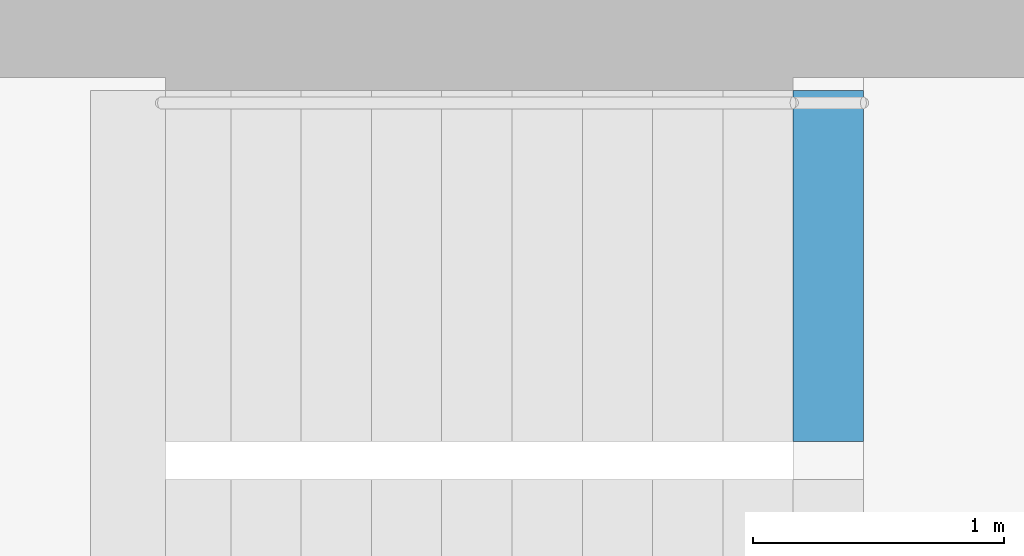
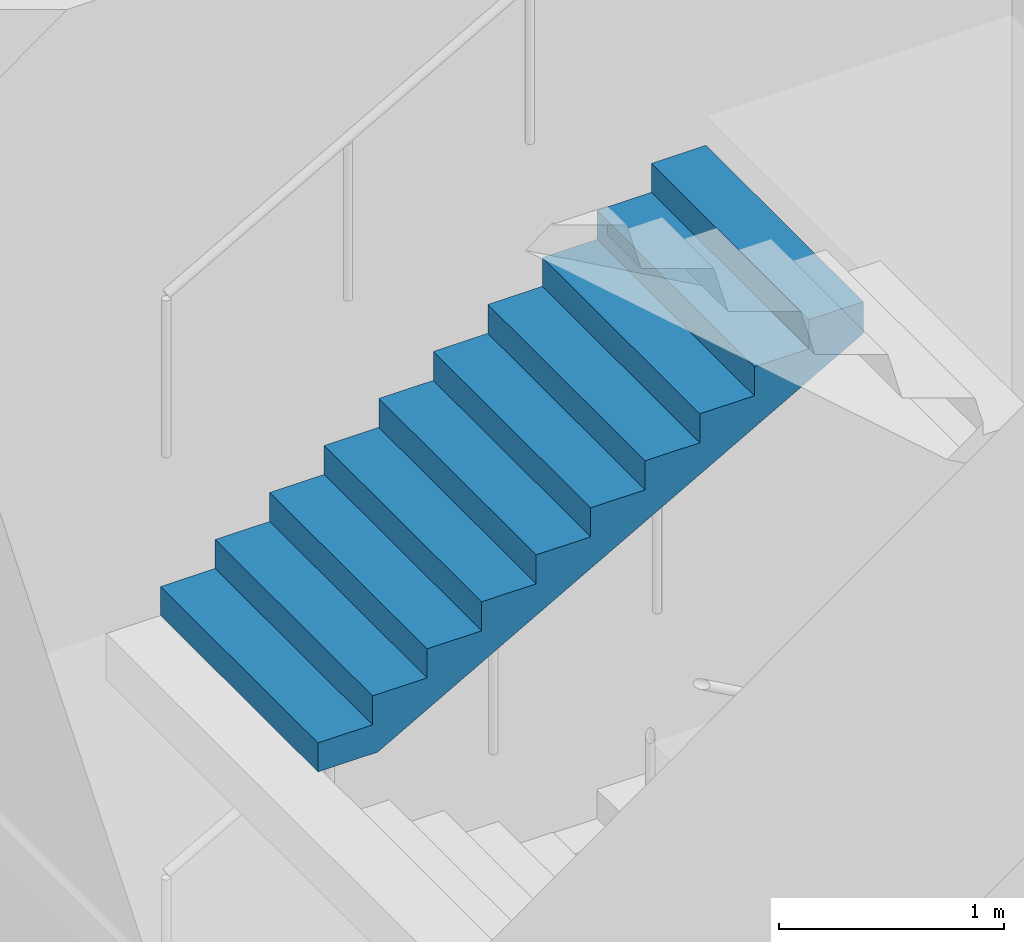
# One storey, part 6 of 7: 1 stair flight, 1 element without a shape of its own.
"""IFC4 building model written with IfcOpenShell, lengths in metres."""

import ifcopenshell
import ifcopenshell.guid

model = None  # the IFC model being written
_history = None  # IfcOwnerHistory: only IFC2X3 demands one
_inside = {}  # id of a spatial element -> (the spatial element, [elements in it])
_under = {}  # id of a project, library or spatial element -> (it, [spatial elements below it])
_declared = {}  # id of a project -> (the project, [libraries it declares])
_typed = {}  # id of a type object -> (the type object, [elements of that type])
_made_of = {}  # id of a material, layer set ... -> (it, [elements and type objects made of it])


def new_model(schema):
    """Start an empty IFC model of exactly this schema.

    Asked for "IFC4X3", IfcOpenShell would pick the latest addendum, in which some entities
    have other attributes; the version numbers below select the first issue.
    IFC2X3 requires an IfcOwnerHistory on every rooted entity: one is made here for all.
    """
    global model, _history
    if schema == "IFC4X3":
        model = ifcopenshell.file(schema_version=(4, 3, 0, 0))
    else:
        model = ifcopenshell.file(schema=schema)
    _inside.clear()
    _under.clear()
    _declared.clear()
    _typed.clear()
    _made_of.clear()
    _history = None
    if model.schema == "IFC2X3":
        org = make("IfcOrganization", Name="unknown")
        user = make(
            "IfcPersonAndOrganization",
            ThePerson=make("IfcPerson", FamilyName="unknown"),
            TheOrganization=org,
        )
        app = make(
            "IfcApplication",
            ApplicationDeveloper=org,
            Version="unknown",
            ApplicationFullName="unknown",
            ApplicationIdentifier="unknown",
        )
        _history = make(
            "IfcOwnerHistory",
            OwningUser=user,
            OwningApplication=app,
            ChangeAction="ADDED",
            CreationDate=0,
        )
    return model


def make(cls, **values):
    """One entity of the class cls with the attributes given. An attribute that is None is left unset."""
    return model.create_entity(
        cls, **{name: value for name, value in values.items() if value is not None}
    )


def rooted(cls, **values):
    """An entity with a GlobalId (a new one), such as an element, a storey or a relation."""
    return make(cls, GlobalId=ifcopenshell.guid.new(), OwnerHistory=_history, **values)


def si_unit(unit_type, name, prefix=None):
    """IfcSIUnit, for example si_unit("LENGTHUNIT", "METRE", prefix="MILLI")."""
    return make("IfcSIUnit", UnitType=unit_type, Prefix=prefix, Name=name)


def assignment(units):
    """IfcUnitAssignment: the units of a project."""
    return None if units is None else make("IfcUnitAssignment", Units=units)


def point(xyz):
    """IfcCartesianPoint."""
    return None if xyz is None else make("IfcCartesianPoint", Coordinates=xyz)


def direction(xyz):
    """IfcDirection."""
    return None if xyz is None else make("IfcDirection", DirectionRatios=xyz)


def frame(location, z_axis=None, x_axis=None):
    """IfcAxis2Placement3D, a coordinate frame: its origin and axes. An axis left out is left unset."""
    return make(
        "IfcAxis2Placement3D",
        Location=point(location),
        Axis=direction(z_axis),
        RefDirection=direction(x_axis),
    )


def origin():
    """The frame at (0, 0, 0) with its axes left unset."""
    return frame((0.0, 0.0, 0.0))


def place(relative_to, where):
    """IfcLocalPlacement: puts the frame where relative to a parent placement (None: the world)."""
    return make(
        "IfcLocalPlacement", PlacementRelTo=relative_to, RelativePlacement=where
    )


def context(
    kind, dimensions, precision=None, world=None, true_north=None, identifier=None
):
    """IfcGeometricRepresentationContext, for example the 3D "Model" context."""
    return make(
        "IfcGeometricRepresentationContext",
        ContextIdentifier=identifier,
        ContextType=kind,
        CoordinateSpaceDimension=dimensions,
        Precision=precision,
        WorldCoordinateSystem=world,
        TrueNorth=true_north,
    )


def subcontext(parent, identifier, kind, view, scale=None):
    """IfcGeometricRepresentationSubContext, for example "Body" below "Model"."""
    return make(
        "IfcGeometricRepresentationSubContext",
        ContextIdentifier=identifier,
        ContextType=kind,
        ParentContext=parent,
        TargetScale=scale,
        TargetView=view,
    )


def project(units=None, contexts=None):
    """IfcProject with its units and contexts."""
    return rooted(
        "IfcProject",
        Name="project",
        RepresentationContexts=contexts,
        UnitsInContext=assignment(units),
    )


def spatial(cls, under=None, at=None, **own):
    """A site, building, storey or space (cls), placed at a placement, below another one or the project."""
    s = rooted(cls, ObjectPlacement=at, **own)
    if under is not None:
        _under.setdefault(under.id(), (under, []))[1].append(s)
    return s


def polyline(points):
    """IfcPolyline through the points."""
    return make("IfcPolyline", Points=[point(p) for p in points])


def outline(outer, holes=None, kind="AREA"):
    """IfcArbitraryClosedProfileDef: a profile drawn as a closed curve; with holes, ...WithVoids."""
    if holes is None:
        return make("IfcArbitraryClosedProfileDef", ProfileType=kind, OuterCurve=outer)
    return make(
        "IfcArbitraryProfileDefWithVoids",
        ProfileType=kind,
        OuterCurve=outer,
        InnerCurves=holes,
    )


def extrude(swept, where, along, depth):
    """IfcExtrudedAreaSolid: the profile swept, set in the frame where, extruded along a direction by depth."""
    return make(
        "IfcExtrudedAreaSolid",
        SweptArea=swept,
        Position=where,
        ExtrudedDirection=direction(along),
        Depth=depth,
    )


def shape(context_of_items, identifier, shape_type, items):
    """IfcShapeRepresentation: the items that make up one representation, for example the "Body"."""
    return make(
        "IfcShapeRepresentation",
        ContextOfItems=context_of_items,
        RepresentationIdentifier=identifier,
        RepresentationType=shape_type,
        Items=items,
    )


def material(Name=None, Category=None):
    """IfcMaterial."""
    return make("IfcMaterial", Name=Name, Category=Category)


def made_of(thing, what):
    """Note that an element or type object is made of a material, layer set ...; save() writes the relation."""
    if what is not None:
        _made_of.setdefault(what.id(), (what, []))[1].append(thing)
    return thing


def type_object(cls, material=None, **own):
    """A type object (cls), such as IfcWallType, which elements share."""
    return made_of(rooted(cls, **own), material)


def element(
    cls,
    number,
    at=None,
    inside=None,
    cuts=None,
    type_object=None,
    material=None,
    context=None,
    identifier="Body",
    shape_type=None,
    held_by="IfcProductDefinitionShape",
    body=None,
    shapes=None,
    **own,
):
    """One element of the class cls, such as IfcWall. Its Tag is "e" and its number.

    at: its placement. inside: the storey or other place that contains it. cuts: it is an
    opening in that element (IfcRelVoidsElement). A single representation is given by context,
    identifier, shape_type and body (its items); several are given by shapes. held_by: the class
    of the entity that holds the representations. save() writes the other relations.
    """
    e = rooted(cls, Tag="e%d" % number, ObjectPlacement=at, **own)
    if body is not None:
        shapes = [shape(context, identifier, shape_type, body)]
    if shapes is not None:
        e.Representation = make(held_by, Representations=shapes)
    if inside is not None:
        _inside.setdefault(inside.id(), (inside, []))[1].append(e)
    if cuts is not None:
        rooted(
            "IfcRelVoidsElement", RelatingBuildingElement=cuts, RelatedOpeningElement=e
        )
    if type_object is not None:
        _typed.setdefault(type_object.id(), (type_object, []))[1].append(e)
    return made_of(e, material)


def aggregate(whole, parts):
    """IfcRelAggregates: a whole, such as a stair, and the parts it consists of."""
    return rooted("IfcRelAggregates", RelatingObject=whole, RelatedObjects=parts)


def save(model, path):
    """Write the relations noted so far, then the file.

    IfcRelAggregates (storeys below a building ...), IfcRelContainedInSpatialStructure (elements
    in a storey), IfcRelDefinesByType, IfcRelAssociatesMaterial and IfcRelDeclares: one each for
    every whole, place, type object, material and project.
    """
    for whole, parts in _under.values():
        aggregate(whole, parts)
    for where, things in _inside.values():
        rooted(
            "IfcRelContainedInSpatialStructure",
            RelatedElements=things,
            RelatingStructure=where,
        )
    for kind, things in _typed.values():
        rooted("IfcRelDefinesByType", RelatedObjects=things, RelatingType=kind)
    for what, things in _made_of.values():
        rooted("IfcRelAssociatesMaterial", RelatedObjects=things, RelatingMaterial=what)
    for by, libraries in _declared.values():
        rooted("IfcRelDeclares", RelatingContext=by, RelatedDefinitions=libraries)
    model.write(path)


model = new_model("IFC4")

# Units and contexts
model_context = context("Model", 3, precision=1e-05, world=origin(), true_north=direction((0.0, 1.0)))
body_context = subcontext(model_context, "Body", "Model", "MODEL_VIEW")
ifc_project = project(units=[si_unit("LENGTHUNIT", "METRE"), si_unit("AREAUNIT", "SQUARE_METRE"), si_unit("VOLUMEUNIT", "CUBIC_METRE"), si_unit("PLANEANGLEUNIT", "RADIAN"), si_unit("MASSUNIT", "GRAM", prefix="KILO")], contexts=[model_context])

# Site, building, storey
site_placement = place(None, origin())
site = spatial("IfcSite", under=ifc_project, at=site_placement, CompositionType="ELEMENT")
building_placement = place(site_placement, origin())
building = spatial("IfcBuilding", under=site, at=building_placement, Name="Hankou Lantern Tower", CompositionType="ELEMENT")
storey_placement = place(building_placement, frame((0.0, 0.0, 93.60009765625)))
storey = spatial("IfcBuildingStorey", under=building, at=storey_placement, Name="L24", CompositionType="ELEMENT", Elevation=93.60009765625)

# Stair, stair flight
ifc_material_1 = material(Name="Concrete C40", Category="concrete")
stair_type = type_object("IfcStairType", Name="ST66 CORE STAIR 6600 RISE", PredefinedType="HALF_TURN_STAIR", material=ifc_material_1)
stair_placement = place(storey_placement, origin())
stair = element("IfcStair", 1, at=stair_placement, inside=storey, type_object=stair_type, Name="Stair STB L24", PredefinedType="HALF_TURN_STAIR")
ifc_material_2 = material(Name="Concrete C40", Category="concrete")
stair_flight_type = type_object("IfcStairFlightType", Name="CF11 CORE STAIR FLIGHT 1400 X 11 RISERS", PredefinedType="STRAIGHT", material=ifc_material_2)
stair_flight_placement = place(storey_placement, frame((4.429931640625, -5.199951171875, 3.142822265625), z_axis=(0.0, 0.0, 1.0), x_axis=(1.0, 0.0, 0.0)))
stair_flight = element("IfcStairFlight", 2, at=stair_flight_placement, type_object=stair_flight_type, Name="STB flight 3", NumberOfRisers=11, NumberOfTreads=10, PredefinedType="STRAIGHT", RiserHeight=0.157142857, TreadLength=0.28, context=body_context, shape_type="SweptSolid", body=[
    extrude(outline(polyline([(0.0, 0.0), (0.0, 0.1572265625), (0.280029296875, 0.1572265625), (0.280029296875, 0.314208984375), (0.56005859375, 0.314208984375), (0.56005859375, 0.471435546875), (0.840087890625, 0.471435546875), (0.840087890625, 0.628662109375), (1.1201171875, 0.628662109375), (1.1201171875, 0.78564453125), (1.39990234375, 0.78564453125), (1.39990234375, 0.94287109375), (1.679931640625, 0.94287109375), (1.679931640625, 1.10009765625), (1.9599609375, 1.10009765625), (1.9599609375, 1.257080078125), (2.239990234375, 1.257080078125), (2.239990234375, 1.414306640625), (2.52001953125, 1.414306640625), (2.52001953125, 1.571533203125), (2.800048828125, 1.571533203125), (2.800048828125, 1.728515625), (2.800048828125, 1.3994140625), (0.306396484375, 0.0), (0.0, 0.0)])), frame((0.0, 0.699951171875, 0.0), z_axis=(0.0, -1.0, 0.0), x_axis=(1.0, 0.0, 0.0)), (0.0, 0.0, 1.0), 1.39990234375),
])
aggregate(stair, [stair_flight])

save(model, "model.ifc")
